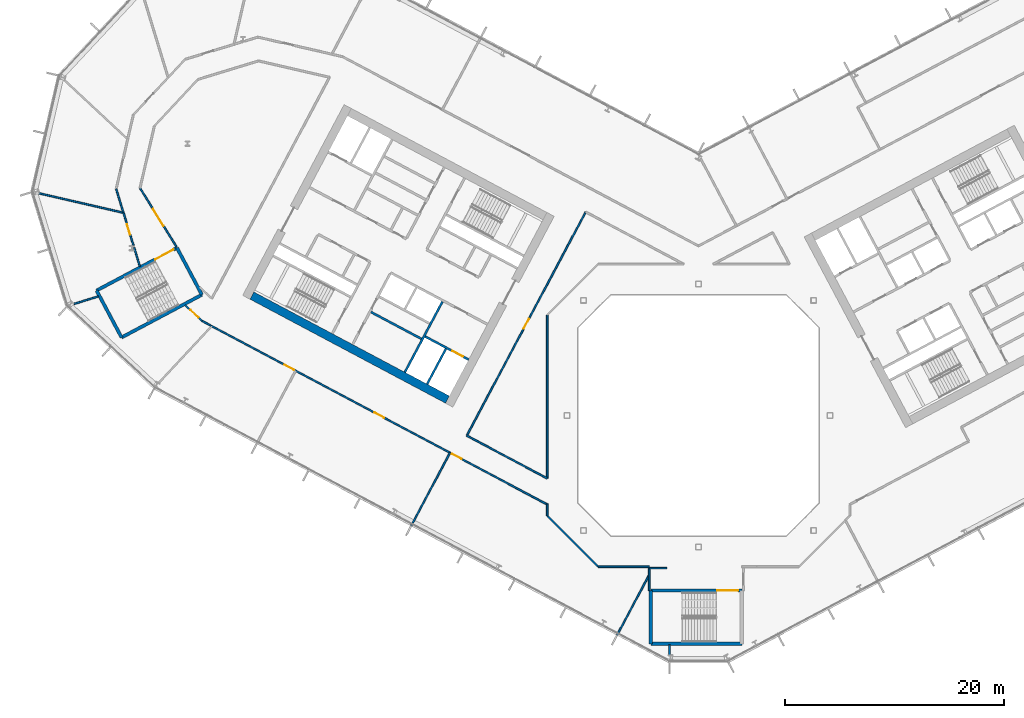
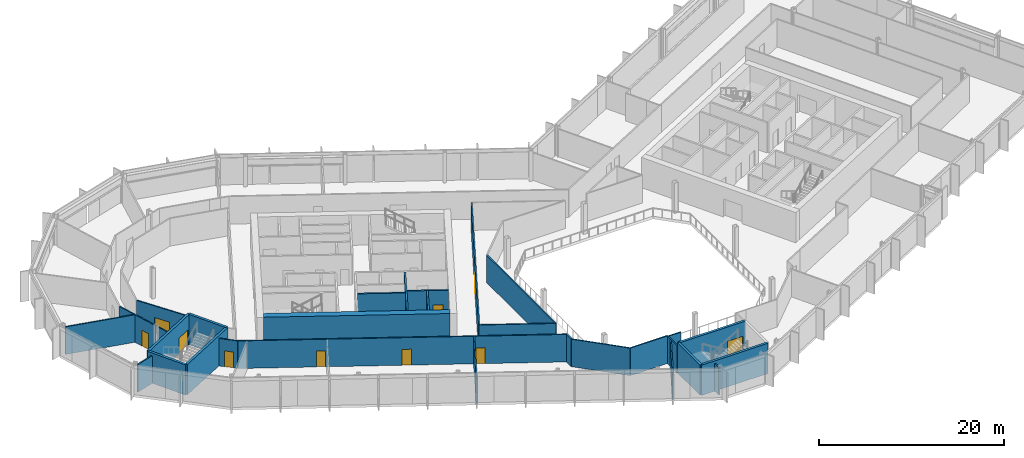
# One storey, part 13 of 28: 32 walls, 10 doors, 10 openings.
"""IFC4 building model written with IfcOpenShell, lengths in metres."""

from ifc_helpers import new_model, si_unit, direction, frame, frame_2d, origin, place, context, subcontext, project, spatial, rectangle, extrude, material, layer, layer_set, type_object, element, fill, save


model = new_model("IFC4")

# Units and contexts
model_context = context("Model", 3, precision=1e-05, world=origin(), true_north=direction((0.0, 1.0)))
body_context = subcontext(model_context, "Body", "Model", "MODEL_VIEW")
ifc_project = project(units=[si_unit("LENGTHUNIT", "METRE"), si_unit("AREAUNIT", "SQUARE_METRE"), si_unit("VOLUMEUNIT", "CUBIC_METRE"), si_unit("PLANEANGLEUNIT", "RADIAN"), si_unit("MASSUNIT", "GRAM", prefix="KILO")], contexts=[model_context])

# Site, building, storey
site_placement = place(None, origin())
site = spatial("IfcSite", under=ifc_project, at=site_placement, CompositionType="ELEMENT")
building_placement = place(site_placement, origin())
building = spatial("IfcBuilding", under=site, at=building_placement, Name="Cormorant Relay Tower", CompositionType="ELEMENT")
storey_placement = place(building_placement, frame((0.0, 0.0, 122.199951171875)))
storey = spatial("IfcBuildingStorey", under=building, at=storey_placement, Name="L24", CompositionType="ELEMENT", Elevation=122.199951171875)

# Walls
ifc_material_1 = material(Name="Concrete 40 MPa", Category="concrete")
ifc_layer_1 = layer(ifc_material_1, 0.199951171875)
ifc_layer_set_1 = layer_set([ifc_layer_1], Name="Core internal wall 200")
wall_type_1 = type_object("IfcWallType", Name="Core internal wall 200", PredefinedType="SOLIDWALL", material=ifc_layer_set_1)
wall_1_placement = place(storey_placement, frame((-25.279541015625, 6.985595703125, 0.0), z_axis=(0.0, 0.0, 1.0), x_axis=(-0.882934506056, 0.469496174655, 0.0)))
element("IfcWall", 1, at=wall_1_placement, inside=storey, type_object=wall_type_1, Name="L24 core A shaft and room wall", PredefinedType="SOLIDWALL", context=body_context, shape_type="SweptSolid", body=[
    extrude(rectangle(XDim=5.199951171875, YDim=0.199951171875, at=frame_2d((2.60009765625, 0.0))), origin(), (0.0, 0.0, 1.0), 4.0),
])
ifc_material_2 = material(Name="Concrete 50 MPa", Category="concrete")
ifc_layer_2 = layer(ifc_material_2, 0.199951171875)
ifc_layer_set_2 = layer_set([ifc_layer_2], Name="Core shaft wall 200")
wall_type_2 = type_object("IfcWallType", Name="Core shaft wall 200", PredefinedType="SHEAR", material=ifc_layer_set_2)
wall_2_placement = place(storey_placement, frame((-23.04296875, 6.07958984375, 0.0), z_axis=(0.0, 0.0, 1.0), x_axis=(-0.469494272526, -0.882935517501, 0.0)))
element("IfcWall", 2, at=wall_2_placement, inside=storey, type_object=wall_type_2, Name="L24 core A shaft wall", PredefinedType="SHEAR", context=body_context, shape_type="SweptSolid", body=[
    extrude(rectangle(XDim=3.64990234375, YDim=0.199951171875, at=frame_2d((1.824951171875, 0.0))), origin(), (0.0, 0.0, 1.0), 4.0),
])
wall_3_placement = place(storey_placement, frame((-23.360107421875, 10.38232421875, 0.0), z_axis=(0.0, 0.0, 1.0), x_axis=(-0.469480409012, -0.88294288918, 0.0)))
element("IfcWall", 3, at=wall_3_placement, inside=storey, type_object=wall_type_2, Name="L24 core A shaft wall", PredefinedType="SHEAR", context=body_context, shape_type="SweptSolid", body=[
    extrude(rectangle(XDim=7.300048828125, YDim=0.199951171875, at=frame_2d((3.64990234375, 0.0))), origin(), (0.0, 0.0, 1.0), 4.0),
])

# Wall, opening, door
wall_4_placement = place(storey_placement, frame((-20.96533203125, 5.088134765625, 0.0), z_axis=(0.0, 0.0, 1.0), x_axis=(-0.882925986334, 0.469512196493, 0.0)))
wall_4 = element("IfcWall", 4, at=wall_4_placement, inside=storey, type_object=wall_type_2, Name="L24 core A shaft wall", PredefinedType="SHEAR", context=body_context, shape_type="SweptSolid", body=[
    extrude(rectangle(XDim=4.5, YDim=0.199951171875, at=frame_2d((2.25, 0.0))), origin(), (0.0, 0.0, 1.0), 4.0),
])
opening_1_placement = place(wall_4_placement, frame((0.60009765625, 0.0, 0.0)))
opening_1 = element("IfcOpeningElement", 5, at=opening_1_placement, cuts=wall_4, Name="Opening LD1-043", PredefinedType="OPENING", context=body_context, shape_type="SweptSolid", body=[
    extrude(rectangle(XDim=1.10009765625, YDim=2.10009765625, at=frame_2d((0.550048828125, 1.050048828125))), frame((0.0, 0.10986328125, 0.0), z_axis=(0.0, -1.0, 0.0), x_axis=(1.0, 0.0, 0.0)), (0.0, 0.0, 1.0), 0.219970703125),
])
ifc_material_3 = material(Name="Stainless steel 316", Category="steel")
door_type_1 = type_object("IfcDoorType", Name="Lift landing door 1100x2100", OperationType="DOUBLE_DOOR_SLIDING", PredefinedType="DOOR", material=ifc_material_3)
door_1_placement = place(opening_1_placement, origin())
door_1 = element("IfcDoor", 6, at=door_1_placement, inside=storey, type_object=door_type_1, Name="FF1 landing door", OperationType="DOUBLE_DOOR_SLIDING", OverallHeight=2.10009765625, OverallWidth=1.10009765625, PredefinedType="DOOR", context=body_context, shape_type="SweptSolid", body=[
    extrude(rectangle(XDim=1.10009765625, YDim=2.10009765625, at=frame_2d((0.550048828125, 1.050048828125))), frame((0.0, 0.02490234375, 0.0), z_axis=(0.0, -1.0, 0.0), x_axis=(1.0, 0.0, 0.0)), (0.0, 0.0, 1.0), 0.050048828125),
])
fill(opening_1, door_1)

# Walls
ifc_material_4 = material(Name="Concrete 60 MPa", Category="concrete")
ifc_layer_3 = layer(ifc_material_4, 0.75)
ifc_layer_set_3 = layer_set([ifc_layer_3], Name="Core wall 750")
wall_type_3 = type_object("IfcWallType", Name="Core wall 750", PredefinedType="SHEAR", material=ifc_layer_set_3)
wall_5_placement = place(storey_placement, frame((-22.90185546875, 1.446044921875, 0.0), z_axis=(0.0, 0.0, 1.0), x_axis=(-0.88294509198, 0.469476266226, 0.0)))
element("IfcWall", 7, at=wall_5_placement, inside=storey, type_object=wall_type_3, Name="L24 core A wall", PredefinedType="SHEAR", context=body_context, shape_type="SweptSolid", body=[
    extrude(rectangle(XDim=20.199951171875, YDim=0.75, at=frame_2d((10.10009765625, 0.0))), origin(), (0.0, 0.0, 1.0), 4.0),
])
ifc_material_5 = material(Name="Gypsum board fire partition")
ifc_layer_4 = layer(ifc_material_5, 0.14990234375)
ifc_layer_set_4 = layer_set([ifc_layer_4], Name="Corridor partition 150 EI 60")
wall_type_4 = type_object("IfcWallType", Name="Corridor partition 150 EI 60", PredefinedType="PARTITIONING", material=ifc_layer_set_4)
wall_6_placement = place(storey_placement, frame((-53.114990234375, 20.658935546875, 0.0), z_axis=(0.0, 0.0, 1.0), x_axis=(0.292062202153, -0.956399325634, 0.0)))
element("IfcWall", 8, at=wall_6_placement, inside=storey, type_object=wall_type_4, Name="wall/L24/part/005", PredefinedType="PARTITIONING", context=body_context, shape_type="SweptSolid", body=[
    extrude(rectangle(XDim=2.221923828125, YDim=0.14990234375, at=frame_2d((1.11083984375, 0.0))), origin(), (0.0, 0.0, 1.0), 3.64013671875),
])
wall_7_placement = place(storey_placement, frame((-50.958984375, 13.60400390625, 0.0), z_axis=(0.0, 0.0, 1.0), x_axis=(-0.292326826569, 0.95631847544, 0.0)))
element("IfcWall", 9, at=wall_7_placement, inside=storey, type_object=wall_type_4, Name="wall/L24/part/006", PredefinedType="PARTITIONING", context=body_context, shape_type="SweptSolid", body=[
    extrude(rectangle(XDim=1.775634765625, YDim=0.14990234375, at=frame_2d((0.8876953125, 0.0))), origin(), (0.0, 0.0, 1.0), 3.64013671875),
])

# Wall, opening, door
wall_8_placement = place(storey_placement, frame((-51.534912109375, 15.489990234375, 0.0), z_axis=(0.0, 0.0, 1.0), x_axis=(-0.292522494411, 0.956258641929, 0.0)))
wall_8 = element("IfcWall", 10, at=wall_8_placement, inside=storey, type_object=wall_type_4, Name="wall/L24/part/007", PredefinedType="PARTITIONING", context=body_context, shape_type="SweptSolid", body=[
    extrude(rectangle(XDim=3.18310546875, YDim=0.14990234375, at=frame_2d((1.591552734375, 0.0))), origin(), (0.0, 0.0, 1.0), 3.64013671875),
])
opening_2_placement = place(wall_8_placement, frame((1.050048828125, 0.0, 0.0)))
opening_2 = element("IfcOpeningElement", 11, at=opening_2_placement, cuts=wall_8, Name="Opening DS-012", PredefinedType="OPENING", context=body_context, shape_type="SweptSolid", body=[
    extrude(rectangle(XDim=1.0, YDim=2.10009765625, at=frame_2d((0.5, 1.050048828125))), frame((0.0, 0.0849609375, 0.0), z_axis=(0.0, -1.0, 0.0), x_axis=(1.0, 0.0, 0.0)), (0.0, 0.0, 1.0), 0.169921875),
])
ifc_material_6 = material(Name="Timber door leaf", Category="wood")
door_type_2 = type_object("IfcDoorType", Name="Suite door 1000x2100", OperationType="SINGLE_SWING_LEFT", PredefinedType="DOOR", material=ifc_material_6)
door_2_placement = place(opening_2_placement, origin())
door_2 = element("IfcDoor", 12, at=door_2_placement, inside=storey, type_object=door_type_2, Name="door/L24/016", OperationType="SINGLE_SWING_LEFT", OverallHeight=2.10009765625, OverallWidth=1.0, PredefinedType="DOOR", context=body_context, shape_type="SweptSolid", body=[
    extrude(rectangle(XDim=1.0, YDim=2.10009765625, at=frame_2d((0.5, 1.050048828125))), frame((0.0, 0.02490234375, 0.0), z_axis=(0.0, -1.0, 0.0), x_axis=(1.0, 0.0, 0.0)), (0.0, 0.0, 1.0), 0.050048828125),
])
fill(opening_2, door_2)

wall_9_placement = place(storey_placement, frame((-47.617919921875, 15.37890625, 0.0), z_axis=(0.0, 0.0, 1.0), x_axis=(-0.527298267237, 0.849680255961, 0.0)))
wall_9 = element("IfcWall", 13, at=wall_9_placement, inside=storey, type_object=wall_type_4, Name="wall/L24/part/015", PredefinedType="PARTITIONING", context=body_context, shape_type="SweptSolid", body=[
    extrude(rectangle(XDim=6.3037109375, YDim=0.14990234375, at=frame_2d((3.15185546875, 0.0))), origin(), (0.0, 0.0, 1.0), 3.64013671875),
])
opening_3_placement = place(wall_9_placement, frame((2.25, 0.0, 0.0)))
opening_3 = element("IfcOpeningElement", 14, at=opening_3_placement, cuts=wall_9, Name="Opening DD-001", PredefinedType="OPENING", context=body_context, shape_type="SweptSolid", body=[
    extrude(rectangle(XDim=1.800048828125, YDim=2.10009765625, at=frame_2d((0.89990234375, 1.050048828125))), frame((0.0, 0.0849609375, 0.0), z_axis=(0.0, -1.0, 0.0), x_axis=(1.0, 0.0, 0.0)), (0.0, 0.0, 1.0), 0.169921875),
])
ifc_material_7 = material(Name="Timber door leaf", Category="wood")
door_type_3 = type_object("IfcDoorType", Name="Suite double door 1800x2100", OperationType="DOUBLE_DOOR_SINGLE_SWING", PredefinedType="DOOR", material=ifc_material_7)
door_3_placement = place(opening_3_placement, frame((1.800048828125, 0.0, 0.0), z_axis=(0.0, 0.0, 1.0), x_axis=(-1.0, 0.0, 0.0)))
door_3 = element("IfcDoor", 15, at=door_3_placement, inside=storey, type_object=door_type_3, Name="door/L24/001", OperationType="DOUBLE_DOOR_SINGLE_SWING", OverallHeight=2.10009765625, OverallWidth=1.800048828125, PredefinedType="DOOR", context=body_context, shape_type="SweptSolid", body=[
    extrude(rectangle(XDim=1.800048828125, YDim=2.10009765625, at=frame_2d((0.89990234375, 1.050048828125))), frame((0.0, 0.02490234375, 0.0), z_axis=(0.0, -1.0, 0.0), x_axis=(1.0, 0.0, 0.0)), (0.0, 0.0, 1.0), 0.050048828125),
])
fill(opening_3, door_3)

# Wall
wall_10_placement = place(storey_placement, frame((-44.4619140625, 8.180908203125, 0.0), z_axis=(0.0, 0.0, 1.0), x_axis=(-0.882750253305, 0.469842516478, 0.0)))
element("IfcWall", 16, at=wall_10_placement, inside=storey, type_object=wall_type_4, Name="wall/L24/part/022", PredefinedType="PARTITIONING", context=body_context, shape_type="SweptSolid", body=[
    extrude(rectangle(XDim=0.934814453125, YDim=0.14990234375, at=frame_2d((0.46728515625, 0.0))), origin(), (0.0, 0.0, 1.0), 3.64013671875),
])

# Wall, opening, door
wall_11_placement = place(storey_placement, frame((-45.287109375, 8.6201171875, 0.0), z_axis=(0.0, 0.0, 1.0), x_axis=(-0.731593637228, 0.681740969846, 0.0)))
wall_11 = element("IfcWall", 17, at=wall_11_placement, inside=storey, type_object=wall_type_4, Name="wall/L24/part/023", PredefinedType="PARTITIONING", context=body_context, shape_type="SweptSolid", body=[
    extrude(rectangle(XDim=2.12548828125, YDim=0.14990234375, at=frame_2d((1.062744140625, 0.0))), origin(), (0.0, 0.0, 1.0), 3.64013671875),
])
opening_4_placement = place(wall_11_placement, frame((0.449951171875, 0.0, 0.0)))
opening_4 = element("IfcOpeningElement", 18, at=opening_4_placement, cuts=wall_11, Name="Opening DS-013", PredefinedType="OPENING", context=body_context, shape_type="SweptSolid", body=[
    extrude(rectangle(XDim=1.0, YDim=2.10009765625, at=frame_2d((0.5, 1.050048828125))), frame((0.0, 0.0849609375, 0.0), z_axis=(0.0, -1.0, 0.0), x_axis=(1.0, 0.0, 0.0)), (0.0, 0.0, 1.0), 0.169921875),
])
door_4_placement = place(opening_4_placement, origin())
door_4 = element("IfcDoor", 19, at=door_4_placement, inside=storey, type_object=door_type_2, Name="door/L24/017", OperationType="SINGLE_SWING_RIGHT", OverallHeight=2.10009765625, OverallWidth=1.0, PredefinedType="DOOR", context=body_context, shape_type="SweptSolid", body=[
    extrude(rectangle(XDim=1.0, YDim=2.10009765625, at=frame_2d((0.5, 1.050048828125))), frame((0.0, 0.02490234375, 0.0), z_axis=(0.0, -1.0, 0.0), x_axis=(1.0, 0.0, 0.0)), (0.0, 0.0, 1.0), 0.050048828125),
])
fill(opening_4, door_4)

# Wall, openings, doors
wall_12_placement = place(storey_placement, frame((-13.800048828125, -8.1220703125, 0.0), z_axis=(0.0, 0.0, 1.0), x_axis=(-0.882950271686, 0.469466524611, 0.0)))
wall_12 = element("IfcWall", 20, at=wall_12_placement, inside=storey, type_object=wall_type_4, Name="wall/L24/part/024", PredefinedType="PARTITIONING", context=body_context, shape_type="SweptSolid", body=[
    extrude(rectangle(XDim=34.7265625, YDim=0.14990234375, at=frame_2d((17.36328125, 0.0))), origin(), (0.0, 0.0, 1.0), 3.64013671875),
])
opening_5_placement = place(wall_12_placement, frame((26.14990234375, 0.0, 0.0)))
opening_5 = element("IfcOpeningElement", 21, at=opening_5_placement, cuts=wall_12, Name="Opening DS-014", PredefinedType="OPENING", context=body_context, shape_type="SweptSolid", body=[
    extrude(rectangle(XDim=1.0, YDim=2.10009765625, at=frame_2d((0.5, 1.050048828125))), frame((0.0, 0.0849609375, 0.0), z_axis=(0.0, -1.0, 0.0), x_axis=(1.0, 0.0, 0.0)), (0.0, 0.0, 1.0), 0.169921875),
])
opening_6_placement = place(wall_12_placement, frame((16.85009765625, 0.0, 0.0)))
opening_6 = element("IfcOpeningElement", 22, at=opening_6_placement, cuts=wall_12, Name="Opening DS-015", PredefinedType="OPENING", context=body_context, shape_type="SweptSolid", body=[
    extrude(rectangle(XDim=1.0, YDim=2.10009765625, at=frame_2d((0.5, 1.050048828125))), frame((0.0, 0.0849609375, 0.0), z_axis=(0.0, -1.0, 0.0), x_axis=(1.0, 0.0, 0.0)), (0.0, 0.0, 1.0), 0.169921875),
])
opening_7_placement = place(wall_12_placement, frame((8.85107421875, 0.0, 0.0)))
opening_7 = element("IfcOpeningElement", 23, at=opening_7_placement, cuts=wall_12, Name="Opening DS-016", PredefinedType="OPENING", context=body_context, shape_type="SweptSolid", body=[
    extrude(rectangle(XDim=1.0, YDim=2.10009765625, at=frame_2d((0.5, 1.050048828125))), frame((0.0, 0.0849609375, 0.0), z_axis=(0.0, -1.0, 0.0), x_axis=(1.0, 0.0, 0.0)), (0.0, 0.0, 1.0), 0.169921875),
])
door_5_placement = place(opening_5_placement, origin())
door_5 = element("IfcDoor", 24, at=door_5_placement, inside=storey, type_object=door_type_2, Name="door/L24/018", OperationType="SINGLE_SWING_LEFT", OverallHeight=2.10009765625, OverallWidth=1.0, PredefinedType="DOOR", context=body_context, shape_type="SweptSolid", body=[
    extrude(rectangle(XDim=1.0, YDim=2.10009765625, at=frame_2d((0.5, 1.050048828125))), frame((0.0, 0.02490234375, 0.0), z_axis=(0.0, -1.0, 0.0), x_axis=(1.0, 0.0, 0.0)), (0.0, 0.0, 1.0), 0.050048828125),
])
fill(opening_5, door_5)
door_6_placement = place(opening_6_placement, origin())
door_6 = element("IfcDoor", 25, at=door_6_placement, inside=storey, type_object=door_type_2, Name="door/L24/019", OperationType="SINGLE_SWING_LEFT", OverallHeight=2.10009765625, OverallWidth=1.0, PredefinedType="DOOR", context=body_context, shape_type="SweptSolid", body=[
    extrude(rectangle(XDim=1.0, YDim=2.10009765625, at=frame_2d((0.5, 1.050048828125))), frame((0.0, 0.02490234375, 0.0), z_axis=(0.0, -1.0, 0.0), x_axis=(1.0, 0.0, 0.0)), (0.0, 0.0, 1.0), 0.050048828125),
])
fill(opening_6, door_6)
door_7_placement = place(opening_7_placement, origin())
door_7 = element("IfcDoor", 26, at=door_7_placement, inside=storey, type_object=door_type_2, Name="door/L24/020", OperationType="SINGLE_SWING_RIGHT", OverallHeight=2.10009765625, OverallWidth=1.0, PredefinedType="DOOR", context=body_context, shape_type="SweptSolid", body=[
    extrude(rectangle(XDim=1.0, YDim=2.10009765625, at=frame_2d((0.5, 1.050048828125))), frame((0.0, 0.02490234375, 0.0), z_axis=(0.0, -1.0, 0.0), x_axis=(1.0, 0.0, 0.0)), (0.0, 0.0, 1.0), 0.050048828125),
])
fill(opening_7, door_7)

# Walls
wall_13_placement = place(storey_placement, frame((-4.489990234375, -13.800048828125, 0.0), z_axis=(0.0, 0.0, 1.0), x_axis=(-1.0, 0.0, 0.0)))
element("IfcWall", 27, at=wall_13_placement, inside=storey, type_object=wall_type_4, Name="wall/L24/part/037", PredefinedType="PARTITIONING", context=body_context, shape_type="SweptSolid", body=[
    extrude(rectangle(XDim=4.669921875, YDim=0.14990234375, at=frame_2d((2.3349609375, 0.0))), origin(), (0.0, 0.0, 1.0), 3.64013671875),
])
wall_14_placement = place(storey_placement, frame((-9.159912109375, -13.800048828125, 0.0), z_axis=(0.0, 0.0, 1.0), x_axis=(-0.707106781187, 0.707106781187, 0.0)))
element("IfcWall", 28, at=wall_14_placement, inside=storey, type_object=wall_type_4, Name="wall/L24/part/038", PredefinedType="PARTITIONING", context=body_context, shape_type="SweptSolid", body=[
    extrude(rectangle(XDim=6.562255859375, YDim=0.14990234375, at=frame_2d((3.28125, 0.0))), origin(), (0.0, 0.0, 1.0), 3.64013671875),
])
wall_15_placement = place(storey_placement, frame((-13.800048828125, -9.159912109375, 0.0), z_axis=(0.0, 0.0, 1.0), x_axis=(0.0, 1.0, 0.0)))
element("IfcWall", 29, at=wall_15_placement, inside=storey, type_object=wall_type_4, Name="wall/L24/part/039", PredefinedType="PARTITIONING", context=body_context, shape_type="SweptSolid", body=[
    extrude(rectangle(XDim=1.087890625, YDim=0.14990234375, at=frame_2d((0.5439453125, 0.0))), origin(), (0.0, 0.0, 1.0), 3.64013671875),
])
wall_16_placement = place(storey_placement, frame((-4.5, -13.926025390625, 0.0), z_axis=(0.0, 0.0, 1.0), x_axis=(0.0, -1.0, 0.0)))
element("IfcWall", 30, at=wall_16_placement, inside=storey, type_object=wall_type_4, Name="wall/L24/part/041", PredefinedType="PARTITIONING", context=body_context, shape_type="SweptSolid", body=[
    extrude(rectangle(XDim=2.049072265625, YDim=0.14990234375, at=frame_2d((1.0244140625, 0.0))), origin(), (0.0, 0.0, 1.0), 3.64013671875),
])
wall_17_placement = place(storey_placement, frame((-4.489990234375, -13.925048828125, 0.0), z_axis=(0.0, 0.0, 1.0), x_axis=(1.0, 0.0, 0.0)))
element("IfcWall", 31, at=wall_17_placement, inside=storey, type_object=wall_type_4, Name="wall/L24/part/042", PredefinedType="PARTITIONING", context=body_context, shape_type="SweptSolid", body=[
    extrude(rectangle(XDim=1.60400390625, YDim=0.14990234375, at=frame_2d((0.802001953125, 0.0))), origin(), (0.0, 0.0, 1.0), 3.64013671875),
])

# Wall, opening, door
wall_18_placement = place(storey_placement, frame((-21.138916015625, -1.841064453125, 0.0), z_axis=(0.0, 0.0, 1.0), x_axis=(0.46947923089, 0.882943515613, 0.0)))
wall_18 = element("IfcWall", 32, at=wall_18_placement, inside=storey, type_object=wall_type_4, Name="wall/L24/part/074", PredefinedType="PARTITIONING", context=body_context, shape_type="SweptSolid", body=[
    extrude(rectangle(XDim=23.10009765625, YDim=0.14990234375, at=frame_2d((11.550048828125, 0.0))), origin(), (0.0, 0.0, 1.0), 3.64013671875),
])
opening_8_placement = place(wall_18_placement, frame((11.050048828125, 0.0, 0.0)))
opening_8 = element("IfcOpeningElement", 33, at=opening_8_placement, cuts=wall_18, Name="Opening DS-001", PredefinedType="OPENING", context=body_context, shape_type="SweptSolid", body=[
    extrude(rectangle(XDim=1.0, YDim=2.10009765625, at=frame_2d((0.5, 1.050048828125))), frame((0.0, 0.0849609375, 0.0), z_axis=(0.0, -1.0, 0.0), x_axis=(1.0, 0.0, 0.0)), (0.0, 0.0, 1.0), 0.169921875),
])
door_8_placement = place(opening_8_placement, frame((1.0, 0.0, 0.0), z_axis=(0.0, 0.0, 1.0), x_axis=(-1.0, 0.0, 0.0)))
door_8 = element("IfcDoor", 34, at=door_8_placement, inside=storey, type_object=door_type_2, Name="door/L24/002", OperationType="SINGLE_SWING_LEFT", OverallHeight=2.10009765625, OverallWidth=1.0, PredefinedType="DOOR", context=body_context, shape_type="SweptSolid", body=[
    extrude(rectangle(XDim=1.0, YDim=2.10009765625, at=frame_2d((0.5, 1.050048828125))), frame((0.0, 0.02490234375, 0.0), z_axis=(0.0, -1.0, 0.0), x_axis=(1.0, 0.0, 0.0)), (0.0, 0.0, 1.0), 0.050048828125),
])
fill(opening_8, door_8)

# Walls
wall_19_placement = place(storey_placement, frame((-13.800048828125, 9.159912109375, 0.0), z_axis=(0.0, 0.0, 1.0), x_axis=(0.0, -1.0, 0.0)))
element("IfcWall", 35, at=wall_19_placement, inside=storey, type_object=wall_type_4, Name="wall/L24/part/078", PredefinedType="PARTITIONING", context=body_context, shape_type="SweptSolid", body=[
    extrude(rectangle(XDim=14.90380859375, YDim=0.14990234375, at=frame_2d((7.451904296875, 0.0))), origin(), (0.0, 0.0, 1.0), 3.64013671875),
])
wall_20_placement = place(storey_placement, frame((-13.800048828125, -5.743896484375, 0.0), z_axis=(0.0, 0.0, 1.0), x_axis=(-0.882913323819, 0.469536007803, 0.0)))
element("IfcWall", 36, at=wall_20_placement, inside=storey, type_object=wall_type_4, Name="wall/L24/part/079", PredefinedType="PARTITIONING", context=body_context, shape_type="SweptSolid", body=[
    extrude(rectangle(XDim=8.31201171875, YDim=0.14990234375, at=frame_2d((4.156005859375, 0.0))), origin(), (0.0, 0.0, 1.0), 3.64013671875),
])
ifc_material_8 = material(Name="Concrete 50 MPa", Category="concrete")
ifc_layer_5 = layer(ifc_material_8, 0.300048828125)
ifc_layer_set_5 = layer_set([ifc_layer_5], Name="Remote stair wall 300")
wall_type_5 = type_object("IfcWallType", Name="Remote stair wall 300", PredefinedType="SHEAR", material=ifc_layer_set_5)
wall_21_placement = place(storey_placement, frame((3.949951171875, -20.824951171875, 0.0), z_axis=(0.0, 0.0, 1.0), x_axis=(-1.0, 0.0, 0.0)))
element("IfcWall", 37, at=wall_21_placement, inside=storey, type_object=wall_type_5, Name="L24 exit stair RK1 wall", PredefinedType="SHEAR", context=body_context, shape_type="SweptSolid", body=[
    extrude(rectangle(XDim=8.300048828125, YDim=0.300048828125, at=frame_2d((4.14990234375, 0.0))), origin(), (0.0, 0.0, 1.0), 4.0),
])
wall_22_placement = place(storey_placement, frame((-4.35009765625, -20.824951171875, 0.0), z_axis=(0.0, 0.0, 1.0), x_axis=(0.0, 1.0, 0.0)))
element("IfcWall", 38, at=wall_22_placement, inside=storey, type_object=wall_type_5, Name="L24 exit stair RK1 wall", PredefinedType="SHEAR", context=body_context, shape_type="SweptSolid", body=[
    extrude(rectangle(XDim=4.849853515625, YDim=0.300048828125, at=frame_2d((2.4248046875, 0.0))), origin(), (0.0, 0.0, 1.0), 4.0),
])

# Wall, opening, door
wall_23_placement = place(storey_placement, frame((-4.35009765625, -15.97509765625, 0.0), z_axis=(0.0, 0.0, 1.0), x_axis=(1.0, 0.0, 0.0)))
wall_23 = element("IfcWall", 39, at=wall_23_placement, inside=storey, type_object=wall_type_5, Name="L24 exit stair RK1 wall", PredefinedType="SHEAR", context=body_context, shape_type="SweptSolid", body=[
    extrude(rectangle(XDim=8.300048828125, YDim=0.300048828125, at=frame_2d((4.14990234375, 0.0))), origin(), (0.0, 0.0, 1.0), 4.0),
])
opening_9_placement = place(wall_23_placement, frame((6.050048828125, 0.0, 0.0)))
opening_9 = element("IfcOpeningElement", 40, at=opening_9_placement, cuts=wall_23, Name="Opening CDE-012", PredefinedType="OPENING", context=body_context, shape_type="SweptSolid", body=[
    extrude(rectangle(XDim=1.89990234375, YDim=2.10009765625, at=frame_2d((0.949951171875, 1.050048828125))), frame((0.0, 0.159912109375, 0.0), z_axis=(0.0, -1.0, 0.0), x_axis=(1.0, 0.0, 0.0)), (0.0, 0.0, 1.0), 0.320068359375),
])
ifc_material_9 = material(Name="Steel fire door", Category="steel")
door_type_4 = type_object("IfcDoorType", Name="Remote stair door 1900x2100", OperationType="DOUBLE_DOOR_SINGLE_SWING", PredefinedType="DOOR", material=ifc_material_9)
door_9_placement = place(opening_9_placement, frame((1.89990234375, 0.0, 0.0), z_axis=(0.0, 0.0, 1.0), x_axis=(-1.0, 0.0, 0.0)))
door_9 = element("IfcDoor", 41, at=door_9_placement, inside=storey, type_object=door_type_4, Name="Exit stair RK1 door", OperationType="DOUBLE_DOOR_SINGLE_SWING", OverallHeight=2.10009765625, OverallWidth=1.89990234375, PredefinedType="DOOR", context=body_context, shape_type="SweptSolid", body=[
    extrude(rectangle(XDim=1.89990234375, YDim=2.10009765625, at=frame_2d((0.949951171875, 1.050048828125))), frame((0.0, 0.02490234375, 0.0), z_axis=(0.0, -1.0, 0.0), x_axis=(1.0, 0.0, 0.0)), (0.0, 0.0, 1.0), 0.050048828125),
])
fill(opening_9, door_9)

# Walls
wall_24_placement = place(storey_placement, frame((-47.57421875, 15.28955078125, 0.0), z_axis=(0.0, 0.0, 1.0), x_axis=(0.469443498566, -0.882962514297, 0.0)))
element("IfcWall", 42, at=wall_24_placement, inside=storey, type_object=wall_type_5, Name="L24 exit stair RP1 wall", PredefinedType="SHEAR", context=body_context, shape_type="SweptSolid", body=[
    extrude(rectangle(XDim=4.85009765625, YDim=0.300048828125, at=frame_2d((2.425048828125, 0.0))), origin(), (0.0, 0.0, 1.0), 4.0),
])
wall_25_placement = place(storey_placement, frame((-45.29736328125, 11.007080078125, 0.0), z_axis=(0.0, 0.0, 1.0), x_axis=(-0.882951519127, -0.469464178475, 0.0)))
element("IfcWall", 43, at=wall_25_placement, inside=storey, type_object=wall_type_5, Name="L24 exit stair RP1 wall", PredefinedType="SHEAR", context=body_context, shape_type="SweptSolid", body=[
    extrude(rectangle(XDim=8.2998046875, YDim=0.300048828125, at=frame_2d((4.14990234375, 0.0))), origin(), (0.0, 0.0, 1.0), 4.0),
])
wall_26_placement = place(storey_placement, frame((-52.625732421875, 7.110595703125, 0.0), z_axis=(0.0, 0.0, 1.0), x_axis=(-0.469464364128, 0.882951420416, 0.0)))
element("IfcWall", 44, at=wall_26_placement, inside=storey, type_object=wall_type_5, Name="L24 exit stair RP1 wall", PredefinedType="SHEAR", context=body_context, shape_type="SweptSolid", body=[
    extrude(rectangle(XDim=4.849853515625, YDim=0.300048828125, at=frame_2d((2.4248046875, 0.0))), origin(), (0.0, 0.0, 1.0), 4.0),
])

# Wall, opening, door
wall_27_placement = place(storey_placement, frame((-54.902587890625, 11.392822265625, 0.0), z_axis=(0.0, 0.0, 1.0), x_axis=(0.882939326045, 0.469487110071, 0.0)))
wall_27 = element("IfcWall", 45, at=wall_27_placement, inside=storey, type_object=wall_type_5, Name="L24 exit stair RP1 wall", PredefinedType="SHEAR", context=body_context, shape_type="SweptSolid", body=[
    extrude(rectangle(XDim=8.300048828125, YDim=0.300048828125, at=frame_2d((4.14990234375, 0.0))), origin(), (0.0, 0.0, 1.0), 4.0),
])
opening_10_placement = place(wall_27_placement, frame((6.050048828125, 0.0, 0.0)))
opening_10 = element("IfcOpeningElement", 46, at=opening_10_placement, cuts=wall_27, Name="Opening CDE-013", PredefinedType="OPENING", context=body_context, shape_type="SweptSolid", body=[
    extrude(rectangle(XDim=1.89990234375, YDim=2.10009765625, at=frame_2d((0.949951171875, 1.050048828125))), frame((0.0, 0.159912109375, 0.0), z_axis=(0.0, -1.0, 0.0), x_axis=(1.0, 0.0, 0.0)), (0.0, 0.0, 1.0), 0.320068359375),
])
door_10_placement = place(opening_10_placement, frame((1.89990234375, 0.0, 0.0), z_axis=(0.0, 0.0, 1.0), x_axis=(-1.0, 0.0, 0.0)))
door_10 = element("IfcDoor", 47, at=door_10_placement, inside=storey, type_object=door_type_4, Name="Exit stair RP1 door", OperationType="DOUBLE_DOOR_SINGLE_SWING", OverallHeight=2.10009765625, OverallWidth=1.89990234375, PredefinedType="DOOR", context=body_context, shape_type="SweptSolid", body=[
    extrude(rectangle(XDim=1.89990234375, YDim=2.10009765625, at=frame_2d((0.949951171875, 1.050048828125))), frame((0.0, 0.02490234375, 0.0), z_axis=(0.0, -1.0, 0.0), x_axis=(1.0, 0.0, 0.0)), (0.0, 0.0, 1.0), 0.050048828125),
])
fill(opening_10, door_10)

# Walls
ifc_material_10 = material(Name="Gypsum board partition")
ifc_layer_6 = layer(ifc_material_10, 0.14990234375)
ifc_layer_set_6 = layer_set([ifc_layer_6], Name="Tenant partition 150")
wall_type_6 = type_object("IfcWallType", Name="Tenant partition 150", PredefinedType="PARTITIONING", material=ifc_layer_set_6)
wall_28_placement = place(storey_placement, frame((-52.449951171875, 18.48388671875, 0.0), z_axis=(0.0, 0.0, 1.0), x_axis=(-0.974348948829, 0.225042498023, 0.0)))
element("IfcWall", 48, at=wall_28_placement, inside=storey, type_object=wall_type_6, Name="wall/L24/part/001", PredefinedType="PARTITIONING", context=body_context, shape_type="SweptSolid", body=[
    extrude(rectangle(XDim=7.892333984375, YDim=0.14990234375, at=frame_2d((3.9462890625, 0.0))), origin(), (0.0, 0.0, 1.0), 3.64013671875),
])
wall_29_placement = place(storey_placement, frame((-54.73193359375, 10.85693359375, 0.0), z_axis=(0.0, 0.0, 1.0), x_axis=(-0.956196980242, -0.292723991119, 0.0)))
element("IfcWall", 49, at=wall_29_placement, inside=storey, type_object=wall_type_6, Name="wall/L24/part/003", PredefinedType="PARTITIONING", context=body_context, shape_type="SweptSolid", body=[
    extrude(rectangle(XDim=2.343505859375, YDim=0.14990234375, at=frame_2d((1.171875, 0.0))), origin(), (0.0, 0.0, 1.0), 3.64013671875),
])
wall_30_placement = place(storey_placement, frame((-22.669921875, -3.406005859375, 0.0), z_axis=(0.0, 0.0, 1.0), x_axis=(-0.469451537303, -0.882958240306, 0.0)))
element("IfcWall", 50, at=wall_30_placement, inside=storey, type_object=wall_type_6, Name="wall/L24/part/029", PredefinedType="PARTITIONING", context=body_context, shape_type="SweptSolid", body=[
    extrude(rectangle(XDim=7.549560546875, YDim=0.14990234375, at=frame_2d((3.77490234375, 0.0))), origin(), (0.0, 0.0, 1.0), 3.64013671875),
])
wall_31_placement = place(storey_placement, frame((-4.5, -14.532958984375, 0.0), z_axis=(0.0, 0.0, 1.0), x_axis=(-0.469522352041, -0.882920585859, 0.0)))
element("IfcWall", 51, at=wall_31_placement, inside=storey, type_object=wall_type_6, Name="wall/L24/part/040", PredefinedType="PARTITIONING", context=body_context, shape_type="SweptSolid", body=[
    extrude(rectangle(XDim=6.25537109375, YDim=0.14990234375, at=frame_2d((3.127685546875, 0.0))), origin(), (0.0, 0.0, 1.0), 3.64013671875),
])
wall_32_placement = place(storey_placement, frame((-2.64892578125, -21.827880859375, 0.0), z_axis=(0.0, 0.0, 1.0), x_axis=(0.0, 1.0, 0.0)))
element("IfcWall", 52, at=wall_32_placement, inside=storey, type_object=wall_type_6, Name="wall/L24/part/043", PredefinedType="PARTITIONING", context=body_context, shape_type="SweptSolid", body=[
    extrude(rectangle(XDim=0.90283203125, YDim=0.14990234375, at=frame_2d((0.451416015625, 0.0))), origin(), (0.0, 0.0, 1.0), 3.64013671875),
])

save(model, "model.ifc")
